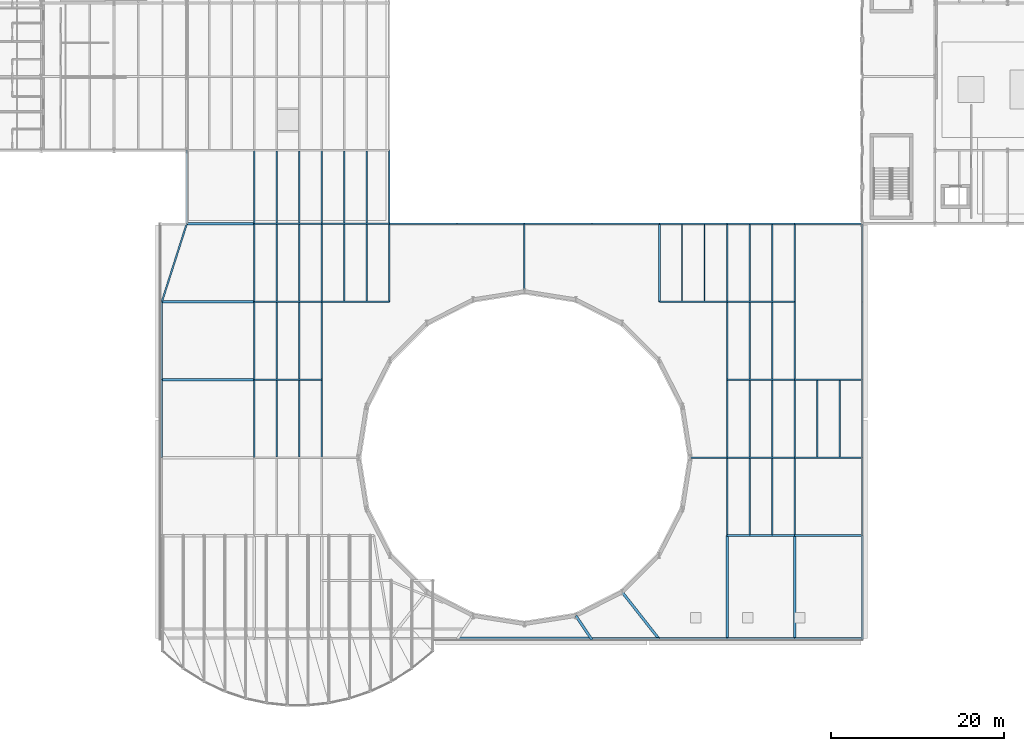
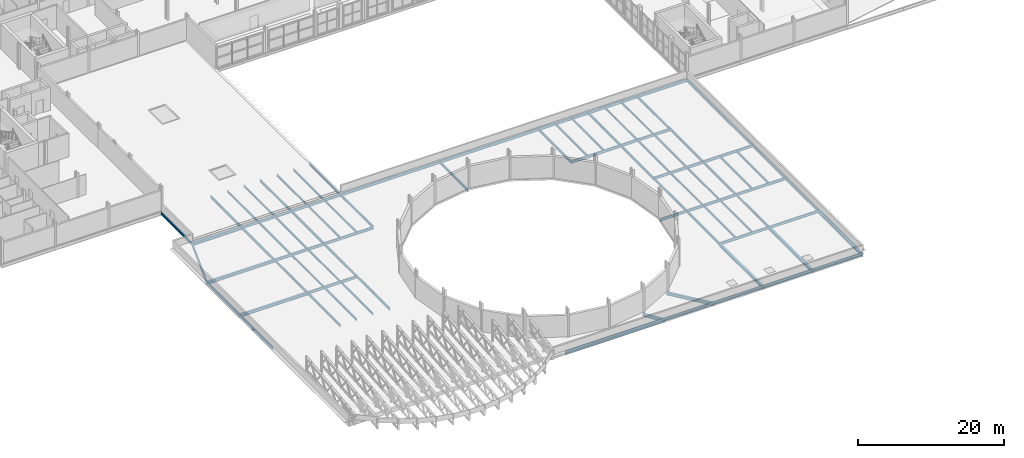
# One storey, part 16 of 58: 86 beams.
"""IFC4 building model written with IfcOpenShell, lengths in metres."""

import ifcopenshell
import ifcopenshell.guid

model = None  # the IFC model being written
_history = None  # IfcOwnerHistory: only IFC2X3 demands one
_inside = {}  # id of a spatial element -> (the spatial element, [elements in it])
_under = {}  # id of a project, library or spatial element -> (it, [spatial elements below it])
_declared = {}  # id of a project -> (the project, [libraries it declares])
_typed = {}  # id of a type object -> (the type object, [elements of that type])
_made_of = {}  # id of a material, layer set ... -> (it, [elements and type objects made of it])


def new_model(schema):
    """Start an empty IFC model of exactly this schema.

    Asked for "IFC4X3", IfcOpenShell would pick the latest addendum, in which some entities
    have other attributes; the version numbers below select the first issue.
    IFC2X3 requires an IfcOwnerHistory on every rooted entity: one is made here for all.
    """
    global model, _history
    if schema == "IFC4X3":
        model = ifcopenshell.file(schema_version=(4, 3, 0, 0))
    else:
        model = ifcopenshell.file(schema=schema)
    _inside.clear()
    _under.clear()
    _declared.clear()
    _typed.clear()
    _made_of.clear()
    _history = None
    if model.schema == "IFC2X3":
        org = make("IfcOrganization", Name="unknown")
        user = make(
            "IfcPersonAndOrganization",
            ThePerson=make("IfcPerson", FamilyName="unknown"),
            TheOrganization=org,
        )
        app = make(
            "IfcApplication",
            ApplicationDeveloper=org,
            Version="unknown",
            ApplicationFullName="unknown",
            ApplicationIdentifier="unknown",
        )
        _history = make(
            "IfcOwnerHistory",
            OwningUser=user,
            OwningApplication=app,
            ChangeAction="ADDED",
            CreationDate=0,
        )
    return model


def make(cls, **values):
    """One entity of the class cls with the attributes given. An attribute that is None is left unset."""
    return model.create_entity(
        cls, **{name: value for name, value in values.items() if value is not None}
    )


def rooted(cls, **values):
    """An entity with a GlobalId (a new one), such as an element, a storey or a relation."""
    return make(cls, GlobalId=ifcopenshell.guid.new(), OwnerHistory=_history, **values)


def si_unit(unit_type, name, prefix=None):
    """IfcSIUnit, for example si_unit("LENGTHUNIT", "METRE", prefix="MILLI")."""
    return make("IfcSIUnit", UnitType=unit_type, Prefix=prefix, Name=name)


def assignment(units):
    """IfcUnitAssignment: the units of a project."""
    return None if units is None else make("IfcUnitAssignment", Units=units)


def point(xyz):
    """IfcCartesianPoint."""
    return None if xyz is None else make("IfcCartesianPoint", Coordinates=xyz)


def direction(xyz):
    """IfcDirection."""
    return None if xyz is None else make("IfcDirection", DirectionRatios=xyz)


def frame(location, z_axis=None, x_axis=None):
    """IfcAxis2Placement3D, a coordinate frame: its origin and axes. An axis left out is left unset."""
    return make(
        "IfcAxis2Placement3D",
        Location=point(location),
        Axis=direction(z_axis),
        RefDirection=direction(x_axis),
    )


def frame_2d(location, x_axis=None):
    """IfcAxis2Placement2D, a coordinate frame in the plane: its origin and x axis."""
    return make(
        "IfcAxis2Placement2D", Location=point(location), RefDirection=direction(x_axis)
    )


def origin():
    """The frame at (0, 0, 0) with its axes left unset."""
    return frame((0.0, 0.0, 0.0))


def origin_2d():
    """The frame at (0, 0) in the plane with its x axis left unset."""
    return frame_2d((0.0, 0.0))


def place(relative_to, where):
    """IfcLocalPlacement: puts the frame where relative to a parent placement (None: the world)."""
    return make(
        "IfcLocalPlacement", PlacementRelTo=relative_to, RelativePlacement=where
    )


def context(
    kind, dimensions, precision=None, world=None, true_north=None, identifier=None
):
    """IfcGeometricRepresentationContext, for example the 3D "Model" context."""
    return make(
        "IfcGeometricRepresentationContext",
        ContextIdentifier=identifier,
        ContextType=kind,
        CoordinateSpaceDimension=dimensions,
        Precision=precision,
        WorldCoordinateSystem=world,
        TrueNorth=true_north,
    )


def subcontext(parent, identifier, kind, view, scale=None):
    """IfcGeometricRepresentationSubContext, for example "Body" below "Model"."""
    return make(
        "IfcGeometricRepresentationSubContext",
        ContextIdentifier=identifier,
        ContextType=kind,
        ParentContext=parent,
        TargetScale=scale,
        TargetView=view,
    )


def project(units=None, contexts=None):
    """IfcProject with its units and contexts."""
    return rooted(
        "IfcProject",
        Name="project",
        RepresentationContexts=contexts,
        UnitsInContext=assignment(units),
    )


def spatial(cls, under=None, at=None, **own):
    """A site, building, storey or space (cls), placed at a placement, below another one or the project."""
    s = rooted(cls, ObjectPlacement=at, **own)
    if under is not None:
        _under.setdefault(under.id(), (under, []))[1].append(s)
    return s


def profile(cls, at=None, kind="AREA", **sizes):
    """A parametric profile (cls). Its sizes go by their IFC names, for example OverallWidth=200.0."""
    return make(cls, ProfileType=kind, Position=at, **sizes)


def i_section(**sizes):
    """IfcIShapeProfileDef."""
    return profile("IfcIShapeProfileDef", **sizes)


def extrude(swept, where, along, depth):
    """IfcExtrudedAreaSolid: the profile swept, set in the frame where, extruded along a direction by depth."""
    return make(
        "IfcExtrudedAreaSolid",
        SweptArea=swept,
        Position=where,
        ExtrudedDirection=direction(along),
        Depth=depth,
    )


def shape(context_of_items, identifier, shape_type, items):
    """IfcShapeRepresentation: the items that make up one representation, for example the "Body"."""
    return make(
        "IfcShapeRepresentation",
        ContextOfItems=context_of_items,
        RepresentationIdentifier=identifier,
        RepresentationType=shape_type,
        Items=items,
    )


def material(Name=None, Category=None):
    """IfcMaterial."""
    return make("IfcMaterial", Name=Name, Category=Category)


def material_profile(
    of_material, cross_section, Name=None, Category=None, Priority=None
):
    """IfcMaterialProfile: a cross section and its material."""
    return make(
        "IfcMaterialProfile",
        Name=Name,
        Material=of_material,
        Profile=cross_section,
        Priority=Priority,
        Category=Category,
    )


def profile_set(profiles, Name=None, composite=None):
    """IfcMaterialProfileSet."""
    return make(
        "IfcMaterialProfileSet",
        Name=Name,
        MaterialProfiles=profiles,
        CompositeProfile=composite,
    )


def made_of(thing, what):
    """Note that an element or type object is made of a material, layer set ...; save() writes the relation."""
    if what is not None:
        _made_of.setdefault(what.id(), (what, []))[1].append(thing)
    return thing


def type_object(cls, material=None, **own):
    """A type object (cls), such as IfcWallType, which elements share."""
    return made_of(rooted(cls, **own), material)


def element(
    cls,
    number,
    at=None,
    inside=None,
    cuts=None,
    type_object=None,
    material=None,
    context=None,
    identifier="Body",
    shape_type=None,
    held_by="IfcProductDefinitionShape",
    body=None,
    shapes=None,
    **own,
):
    """One element of the class cls, such as IfcWall. Its Tag is "e" and its number.

    at: its placement. inside: the storey or other place that contains it. cuts: it is an
    opening in that element (IfcRelVoidsElement). A single representation is given by context,
    identifier, shape_type and body (its items); several are given by shapes. held_by: the class
    of the entity that holds the representations. save() writes the other relations.
    """
    e = rooted(cls, Tag="e%d" % number, ObjectPlacement=at, **own)
    if body is not None:
        shapes = [shape(context, identifier, shape_type, body)]
    if shapes is not None:
        e.Representation = make(held_by, Representations=shapes)
    if inside is not None:
        _inside.setdefault(inside.id(), (inside, []))[1].append(e)
    if cuts is not None:
        rooted(
            "IfcRelVoidsElement", RelatingBuildingElement=cuts, RelatedOpeningElement=e
        )
    if type_object is not None:
        _typed.setdefault(type_object.id(), (type_object, []))[1].append(e)
    return made_of(e, material)


def aggregate(whole, parts):
    """IfcRelAggregates: a whole, such as a stair, and the parts it consists of."""
    return rooted("IfcRelAggregates", RelatingObject=whole, RelatedObjects=parts)


def save(model, path):
    """Write the relations noted so far, then the file.

    IfcRelAggregates (storeys below a building ...), IfcRelContainedInSpatialStructure (elements
    in a storey), IfcRelDefinesByType, IfcRelAssociatesMaterial and IfcRelDeclares: one each for
    every whole, place, type object, material and project.
    """
    for whole, parts in _under.values():
        aggregate(whole, parts)
    for where, things in _inside.values():
        rooted(
            "IfcRelContainedInSpatialStructure",
            RelatedElements=things,
            RelatingStructure=where,
        )
    for kind, things in _typed.values():
        rooted("IfcRelDefinesByType", RelatedObjects=things, RelatingType=kind)
    for what, things in _made_of.values():
        rooted("IfcRelAssociatesMaterial", RelatedObjects=things, RelatingMaterial=what)
    for by, libraries in _declared.values():
        rooted("IfcRelDeclares", RelatingContext=by, RelatedDefinitions=libraries)
    model.write(path)


model = new_model("IFC4")

# Units and contexts
model_context = context("Model", 3, precision=1e-05, world=origin(), true_north=direction((0.0, 1.0)))
body_context = subcontext(model_context, "Body", "Model", "MODEL_VIEW")
ifc_project = project(units=[si_unit("LENGTHUNIT", "METRE"), si_unit("AREAUNIT", "SQUARE_METRE"), si_unit("VOLUMEUNIT", "CUBIC_METRE"), si_unit("PLANEANGLEUNIT", "RADIAN"), si_unit("MASSUNIT", "GRAM", prefix="KILO")], contexts=[model_context])

# Site, building, storey
site_placement = place(None, origin())
site = spatial("IfcSite", under=ifc_project, at=site_placement, CompositionType="ELEMENT")
building_placement = place(site_placement, origin())
building = spatial("IfcBuilding", under=site, at=building_placement, Name="Sefraquen Railside Congress Hotel", CompositionType="ELEMENT")
storey_placement = place(building_placement, frame((0.0, 0.0, 16.199951171875)))
storey = spatial("IfcBuildingStorey", under=building, at=storey_placement, Name="L03", CompositionType="ELEMENT", Elevation=16.199951171875)

# Beams
ifc_material = material(Name="Steel S355JR", Category="steel")
ifc_material_profile_1 = material_profile(ifc_material, i_section(OverallWidth=0.179931640625, OverallDepth=0.39990234375, WebThickness=0.008544921875, FlangeThickness=0.013427734375, FilletRadius=0.02099609375, at=origin_2d()), Name="IPE 400")
ifc_profile_set_1 = profile_set([ifc_material_profile_1], Name="Steel S355JR")
beam_type_1 = type_object("IfcBeamType", Name="TB-BM-400I", PredefinedType="BEAM", material=ifc_profile_set_1)
beam_1_placement = place(storey_placement, frame((25.199951171875, 54.0, -0.47998046875), z_axis=(0.0, 1.0, 0.0), x_axis=(-1.0, 0.0, 0.0)))
element("IfcBeam", 1, at=beam_1_placement, inside=storey, type_object=beam_type_1, Name="Floor beam BM-L03-1144", PredefinedType="BEAM", context=body_context, shape_type="SweptSolid", body=[
    extrude(i_section(OverallWidth=0.179931640625, OverallDepth=0.39990234375, WebThickness=0.008544921875, FlangeThickness=0.013427734375, FilletRadius=0.02099609375, at=origin_2d()), origin(), (0.0, 0.0, 1.0), 8.5),
])
for number, where, z_axis, x_axis, name in (
    (2, (33.0, 27.0, -0.47998046875), (0.0, 1.0, 0.0), (-1.0, 0.0, 0.0), "Floor beam BM-L03-1153"),
    (3, (33.0, 36.0, -0.47998046875), (0.0, 1.0, 0.0), (-1.0, 0.0, 0.0), "Floor beam BM-L03-1154"),
    (4, (33.0, 45.0, -0.47998046875), (0.0, 1.0, 0.0), (-1.0, 0.0, 0.0), "Floor beam BM-L03-1155"),
):
    element("IfcBeam", number, at=place(storey_placement, frame(where, z_axis=z_axis, x_axis=x_axis)), inside=storey, type_object=beam_type_1, Name=name, PredefinedType="BEAM", context=body_context, shape_type="SweptSolid", body=[
        extrude(i_section(OverallWidth=0.179931640625, OverallDepth=0.39990234375, WebThickness=0.008544921875, FlangeThickness=0.013427734375, FilletRadius=0.02099609375, at=origin_2d()), origin(), (0.0, 0.0, 1.0), 9.0),
    ])
beam_2_placement = place(storey_placement, frame((33.0, 54.0, -0.47998046875), z_axis=(0.0, 1.0, 0.0), x_axis=(-1.0, 0.0, 0.0)))
element("IfcBeam", 5, at=beam_2_placement, inside=storey, type_object=beam_type_1, Name="Floor beam BM-L03-1156", PredefinedType="BEAM", context=body_context, shape_type="SweptSolid", body=[
    extrude(i_section(OverallWidth=0.179931640625, OverallDepth=0.39990234375, WebThickness=0.008544921875, FlangeThickness=0.013427734375, FilletRadius=0.02099609375, at=origin_2d()), origin(), (0.0, 0.0, 1.0), 8.5),
])
for number, where, z_axis, x_axis, name in (
    (6, (40.800048828125, 27.0, -0.47998046875), (0.0, 1.0, 0.0), (-1.0, 0.0, 0.0), "Floor beam BM-L03-1165"),
    (7, (40.800048828125, 36.0, -0.47998046875), (0.0, 1.0, 0.0), (-1.0, 0.0, 0.0), "Floor beam BM-L03-1166"),
    (8, (40.800048828125, 45.0, -0.47998046875), (0.0, 1.0, 0.0), (-1.0, 0.0, 0.0), "Floor beam BM-L03-1167"),
):
    element("IfcBeam", number, at=place(storey_placement, frame(where, z_axis=z_axis, x_axis=x_axis)), inside=storey, type_object=beam_type_1, Name=name, PredefinedType="BEAM", context=body_context, shape_type="SweptSolid", body=[
        extrude(i_section(OverallWidth=0.179931640625, OverallDepth=0.39990234375, WebThickness=0.008544921875, FlangeThickness=0.013427734375, FilletRadius=0.02099609375, at=origin_2d()), origin(), (0.0, 0.0, 1.0), 9.0),
    ])
beam_3_placement = place(storey_placement, frame((40.800048828125, 54.0, -0.47998046875), z_axis=(0.0, 1.0, 0.0), x_axis=(-1.0, 0.0, 0.0)))
element("IfcBeam", 9, at=beam_3_placement, inside=storey, type_object=beam_type_1, Name="Floor beam BM-L03-1168", PredefinedType="BEAM", context=body_context, shape_type="SweptSolid", body=[
    extrude(i_section(OverallWidth=0.179931640625, OverallDepth=0.39990234375, WebThickness=0.008544921875, FlangeThickness=0.013427734375, FilletRadius=0.02099609375, at=origin_2d()), origin(), (0.0, 0.0, 1.0), 8.5),
])
beam_4_placement = place(storey_placement, frame((48.60009765625, 45.0, -0.47998046875), z_axis=(0.0, 1.0, 0.0), x_axis=(-1.0, 0.0, 0.0)))
element("IfcBeam", 10, at=beam_4_placement, inside=storey, type_object=beam_type_1, Name="Floor beam BM-L03-1176", PredefinedType="BEAM", context=body_context, shape_type="SweptSolid", body=[
    extrude(i_section(OverallWidth=0.179931640625, OverallDepth=0.39990234375, WebThickness=0.008544921875, FlangeThickness=0.013427734375, FilletRadius=0.02099609375, at=origin_2d()), origin(), (0.0, 0.0, 1.0), 9.0),
])
beam_5_placement = place(storey_placement, frame((48.60009765625, 54.0, -0.47998046875), z_axis=(0.0, 1.0, 0.0), x_axis=(-1.0, 0.0, 0.0)))
element("IfcBeam", 11, at=beam_5_placement, inside=storey, type_object=beam_type_1, Name="Floor beam BM-L03-1177", PredefinedType="BEAM", context=body_context, shape_type="SweptSolid", body=[
    extrude(i_section(OverallWidth=0.179931640625, OverallDepth=0.39990234375, WebThickness=0.008544921875, FlangeThickness=0.013427734375, FilletRadius=0.02099609375, at=origin_2d()), origin(), (0.0, 0.0, 1.0), 8.5),
])
beam_6_placement = place(storey_placement, frame((64.199951171875, 46.199951171875, -0.47998046875), z_axis=(0.0, 1.0, 0.0), x_axis=(-1.0, 0.0, 0.0)))
element("IfcBeam", 12, at=beam_6_placement, inside=storey, type_object=beam_type_1, Name="Floor beam BM-L03-1189", PredefinedType="BEAM", context=body_context, shape_type="SweptSolid", body=[
    extrude(i_section(OverallWidth=0.179931640625, OverallDepth=0.39990234375, WebThickness=0.008544921875, FlangeThickness=0.013427734375, FilletRadius=0.02099609375, at=origin_2d()), origin(), (0.0, 0.0, 1.0), 7.800048828125),
])
for number, where, z_axis, x_axis, name in (
    (13, (79.800048828125, 45.0, -0.47998046875), (0.0, 1.0, 0.0), (-1.0, 0.0, 0.0), "Floor beam BM-L03-1198"),
    (14, (87.60009765625, 18.0, -0.47998046875), (0.0, 1.0, 0.0), (-1.0, 0.0, 0.0), "Floor beam BM-L03-1203"),
    (15, (87.60009765625, 27.0, -0.47998046875), (0.0, 1.0, 0.0), (-1.0, 0.0, 0.0), "Floor beam BM-L03-1204"),
    (16, (87.60009765625, 36.0, -0.47998046875), (0.0, 1.0, 0.0), (-1.0, 0.0, 0.0), "Floor beam BM-L03-1205"),
    (17, (87.60009765625, 45.0, -0.47998046875), (0.0, 1.0, 0.0), (-1.0, 0.0, 0.0), "Floor beam BM-L03-1206"),
    (18, (95.39990234375, 18.0, -0.47998046875), (0.0, 1.0, 0.0), (-1.0, 0.0, 0.0), "Floor beam BM-L03-1211"),
    (19, (95.39990234375, 27.0, -0.47998046875), (0.0, 1.0, 0.0), (-1.0, 0.0, 0.0), "Floor beam BM-L03-1212"),
    (20, (95.39990234375, 36.0, -0.47998046875), (0.0, 1.0, 0.0), (-1.0, 0.0, 0.0), "Floor beam BM-L03-1213"),
    (21, (95.39990234375, 45.0, -0.47998046875), (0.0, 1.0, 0.0), (-1.0, 0.0, 0.0), "Floor beam BM-L03-1214"),
    (22, (103.199951171875, 18.0, -0.47998046875), (0.0, 1.0, 0.0), (-1.0, 0.0, 0.0), "Floor beam BM-L03-1219"),
    (23, (103.199951171875, 27.0, -0.47998046875), (0.0, 1.0, 0.0), (-1.0, 0.0, 0.0), "Floor beam BM-L03-1220"),
    (24, (103.199951171875, 36.0, -0.47998046875), (0.0, 1.0, 0.0), (-1.0, 0.0, 0.0), "Floor beam BM-L03-1221"),
    (25, (103.199951171875, 45.0, -0.47998046875), (0.0, 1.0, 0.0), (-1.0, 0.0, 0.0), "Floor beam BM-L03-1222"),
):
    element("IfcBeam", number, at=place(storey_placement, frame(where, z_axis=z_axis, x_axis=x_axis)), inside=storey, type_object=beam_type_1, Name=name, PredefinedType="BEAM", context=body_context, shape_type="SweptSolid", body=[
        extrude(i_section(OverallWidth=0.179931640625, OverallDepth=0.39990234375, WebThickness=0.008544921875, FlangeThickness=0.013427734375, FilletRadius=0.02099609375, at=origin_2d()), origin(), (0.0, 0.0, 1.0), 9.0),
    ])
ifc_material_profile_2 = material_profile(ifc_material, i_section(OverallWidth=0.18994140625, OverallDepth=0.449951171875, WebThickness=0.009521484375, FlangeThickness=0.0146484375, FilletRadius=0.02099609375, at=origin_2d()), Name="IPE 450")
ifc_profile_set_2 = profile_set([ifc_material_profile_2], Name="Steel S355JR")
beam_type_2 = type_object("IfcBeamType", Name="TB-BM-450", PredefinedType="BEAM", material=ifc_profile_set_2)
beam_7_placement = place(storey_placement, frame((87.60009765625, 18.0, -0.5048828125), z_axis=(1.0, 0.0, 0.0), x_axis=(0.0, 1.0, 0.0)))
element("IfcBeam", 26, at=beam_7_placement, inside=storey, type_object=beam_type_2, Name="Primary girder BM-L03-0997", PredefinedType="BEAM", context=body_context, shape_type="SweptSolid", body=[
    extrude(i_section(OverallWidth=0.18994140625, OverallDepth=0.449951171875, WebThickness=0.009521484375, FlangeThickness=0.0146484375, FilletRadius=0.02099609375, at=origin_2d()), origin(), (0.0, 0.0, 1.0), 7.7998046875),
])
beam_8_placement = place(storey_placement, frame((95.39990234375, 18.0, -0.5048828125), z_axis=(1.0, 0.0, 0.0), x_axis=(0.0, 1.0, 0.0)))
element("IfcBeam", 27, at=beam_8_placement, inside=storey, type_object=beam_type_2, Name="Primary girder BM-L03-0998", PredefinedType="BEAM", context=body_context, shape_type="SweptSolid", body=[
    extrude(i_section(OverallWidth=0.18994140625, OverallDepth=0.449951171875, WebThickness=0.009521484375, FlangeThickness=0.0146484375, FilletRadius=0.02099609375, at=origin_2d()), origin(), (0.0, 0.0, 1.0), 7.800048828125),
])
beam_9_placement = place(storey_placement, frame((83.39990234375, 27.0, -0.5048828125), z_axis=(1.0, 0.0, 0.0), x_axis=(0.0, 1.0, 0.0)))
element("IfcBeam", 28, at=beam_9_placement, inside=storey, type_object=beam_type_2, Name="Primary girder BM-L03-1001", PredefinedType="BEAM", context=body_context, shape_type="SweptSolid", body=[
    extrude(i_section(OverallWidth=0.18994140625, OverallDepth=0.449951171875, WebThickness=0.009521484375, FlangeThickness=0.0146484375, FilletRadius=0.02099609375, at=origin_2d()), origin(), (0.0, 0.0, 1.0), 4.2001953125),
])
beam_10_placement = place(storey_placement, frame((87.60009765625, 27.0, -0.5048828125), z_axis=(1.0, 0.0, 0.0), x_axis=(0.0, 1.0, 0.0)))
element("IfcBeam", 29, at=beam_10_placement, inside=storey, type_object=beam_type_2, Name="Primary girder BM-L03-1002", PredefinedType="BEAM", context=body_context, shape_type="SweptSolid", body=[
    extrude(i_section(OverallWidth=0.18994140625, OverallDepth=0.449951171875, WebThickness=0.009521484375, FlangeThickness=0.0146484375, FilletRadius=0.02099609375, at=origin_2d()), origin(), (0.0, 0.0, 1.0), 7.7998046875),
])
for number, where, z_axis, x_axis, name in (
    (30, (95.39990234375, 27.0, -0.5048828125), (1.0, 0.0, 0.0), (0.0, 1.0, 0.0), "Primary girder BM-L03-1003"),
    (31, (33.0, 36.0, -0.5048828125), (1.0, 0.0, 0.0), (0.0, 1.0, 0.0), "Primary girder BM-L03-1004"),
):
    element("IfcBeam", number, at=place(storey_placement, frame(where, z_axis=z_axis, x_axis=x_axis)), inside=storey, type_object=beam_type_2, Name=name, PredefinedType="BEAM", context=body_context, shape_type="SweptSolid", body=[
        extrude(i_section(OverallWidth=0.18994140625, OverallDepth=0.449951171875, WebThickness=0.009521484375, FlangeThickness=0.0146484375, FilletRadius=0.02099609375, at=origin_2d()), origin(), (0.0, 0.0, 1.0), 7.800048828125),
    ])
beam_11_placement = place(storey_placement, frame((87.60009765625, 36.0, -0.5048828125), z_axis=(1.0, 0.0, 0.0), x_axis=(0.0, 1.0, 0.0)))
element("IfcBeam", 32, at=beam_11_placement, inside=storey, type_object=beam_type_2, Name="Primary girder BM-L03-1005", PredefinedType="BEAM", context=body_context, shape_type="SweptSolid", body=[
    extrude(i_section(OverallWidth=0.18994140625, OverallDepth=0.449951171875, WebThickness=0.009521484375, FlangeThickness=0.0146484375, FilletRadius=0.02099609375, at=origin_2d()), origin(), (0.0, 0.0, 1.0), 7.7998046875),
])
for number, where, z_axis, x_axis, name in (
    (33, (95.39990234375, 36.0, -0.5048828125), (1.0, 0.0, 0.0), (0.0, 1.0, 0.0), "Primary girder BM-L03-1006"),
    (34, (33.0, 45.0, -0.5048828125), (1.0, 0.0, 0.0), (0.0, 1.0, 0.0), "Primary girder BM-L03-1007"),
    (35, (40.800048828125, 45.0, -0.5048828125), (1.0, 0.0, 0.0), (0.0, 1.0, 0.0), "Primary girder BM-L03-1008"),
    (36, (79.800048828125, 45.0, -0.5048828125), (1.0, 0.0, 0.0), (0.0, 1.0, 0.0), "Primary girder BM-L03-1009"),
):
    element("IfcBeam", number, at=place(storey_placement, frame(where, z_axis=z_axis, x_axis=x_axis)), inside=storey, type_object=beam_type_2, Name=name, PredefinedType="BEAM", context=body_context, shape_type="SweptSolid", body=[
        extrude(i_section(OverallWidth=0.18994140625, OverallDepth=0.449951171875, WebThickness=0.009521484375, FlangeThickness=0.0146484375, FilletRadius=0.02099609375, at=origin_2d()), origin(), (0.0, 0.0, 1.0), 7.800048828125),
    ])
beam_12_placement = place(storey_placement, frame((87.60009765625, 45.0, -0.5048828125), z_axis=(1.0, 0.0, 0.0), x_axis=(0.0, 1.0, 0.0)))
element("IfcBeam", 37, at=beam_12_placement, inside=storey, type_object=beam_type_2, Name="Primary girder BM-L03-1010", PredefinedType="BEAM", context=body_context, shape_type="SweptSolid", body=[
    extrude(i_section(OverallWidth=0.18994140625, OverallDepth=0.449951171875, WebThickness=0.009521484375, FlangeThickness=0.0146484375, FilletRadius=0.02099609375, at=origin_2d()), origin(), (0.0, 0.0, 1.0), 7.7998046875),
])
for number, where, z_axis, x_axis, name in (
    (38, (33.0, 54.0, -0.5048828125), (1.0, 0.0, 0.0), (0.0, 1.0, 0.0), "Primary girder BM-L03-1011"),
    (39, (40.800048828125, 54.0, -0.5048828125), (1.0, 0.0, 0.0), (0.0, 1.0, 0.0), "Primary girder BM-L03-1012"),
):
    element("IfcBeam", number, at=place(storey_placement, frame(where, z_axis=z_axis, x_axis=x_axis)), inside=storey, type_object=beam_type_2, Name=name, PredefinedType="BEAM", context=body_context, shape_type="SweptSolid", body=[
        extrude(i_section(OverallWidth=0.18994140625, OverallDepth=0.449951171875, WebThickness=0.009521484375, FlangeThickness=0.0146484375, FilletRadius=0.02099609375, at=origin_2d()), origin(), (0.0, 0.0, 1.0), 7.800048828125),
    ])
beam_13_placement = place(storey_placement, frame((48.60009765625, 54.0, -0.5048828125), z_axis=(1.0, 0.0, 0.0), x_axis=(0.0, 1.0, 0.0)))
element("IfcBeam", 40, at=beam_13_placement, inside=storey, type_object=beam_type_2, Name="Primary girder BM-L03-1013", PredefinedType="BEAM", context=body_context, shape_type="SweptSolid", body=[
    extrude(i_section(OverallWidth=0.18994140625, OverallDepth=0.449951171875, WebThickness=0.009521484375, FlangeThickness=0.0146484375, FilletRadius=0.02099609375, at=origin_2d()), origin(), (0.0, 0.0, 1.0), 7.7998046875),
])
for number, where, z_axis, x_axis, name in (
    (41, (56.39990234375, 54.0, -0.5048828125), (1.0, 0.0, 0.0), (0.0, 1.0, 0.0), "Primary girder BM-L03-1014"),
    (42, (64.199951171875, 54.0, -0.5048828125), (1.0, 0.0, 0.0), (0.0, 1.0, 0.0), "Primary girder BM-L03-1015"),
    (43, (72.0, 54.0, -0.5048828125), (1.0, 0.0, 0.0), (0.0, 1.0, 0.0), "Primary girder BM-L03-1016"),
    (44, (79.800048828125, 54.0, -0.5048828125), (1.0, 0.0, 0.0), (0.0, 1.0, 0.0), "Primary girder BM-L03-1017"),
):
    element("IfcBeam", number, at=place(storey_placement, frame(where, z_axis=z_axis, x_axis=x_axis)), inside=storey, type_object=beam_type_2, Name=name, PredefinedType="BEAM", context=body_context, shape_type="SweptSolid", body=[
        extrude(i_section(OverallWidth=0.18994140625, OverallDepth=0.449951171875, WebThickness=0.009521484375, FlangeThickness=0.0146484375, FilletRadius=0.02099609375, at=origin_2d()), origin(), (0.0, 0.0, 1.0), 7.800048828125),
    ])
beam_14_placement = place(storey_placement, frame((87.60009765625, 54.0, -0.5048828125), z_axis=(1.0, 0.0, 0.0), x_axis=(0.0, 1.0, 0.0)))
element("IfcBeam", 45, at=beam_14_placement, inside=storey, type_object=beam_type_2, Name="Primary girder BM-L03-1018", PredefinedType="BEAM", context=body_context, shape_type="SweptSolid", body=[
    extrude(i_section(OverallWidth=0.18994140625, OverallDepth=0.449951171875, WebThickness=0.009521484375, FlangeThickness=0.0146484375, FilletRadius=0.02099609375, at=origin_2d()), origin(), (0.0, 0.0, 1.0), 7.7998046875),
])
for number, where, z_axis, x_axis, name in (
    (46, (95.39990234375, 54.0, -0.5048828125), (1.0, 0.0, 0.0), (0.0, 1.0, 0.0), "Primary girder BM-L03-1019"),
    (47, (72.0, 6.128173828125, -0.5048828125), (1.0, 0.0, 0.0), (0.0, 1.0, 0.0), "Congress leaning-hull south edge beam L03-06"),
    (48, (79.800048828125, 6.128173828125, -0.5048828125), (1.0, 0.0, 0.0), (0.0, 1.0, 0.0), "Congress leaning-hull south edge beam L03-07"),
):
    element("IfcBeam", number, at=place(storey_placement, frame(where, z_axis=z_axis, x_axis=x_axis)), inside=storey, type_object=beam_type_2, Name=name, PredefinedType="BEAM", context=body_context, shape_type="SweptSolid", body=[
        extrude(i_section(OverallWidth=0.18994140625, OverallDepth=0.449951171875, WebThickness=0.009521484375, FlangeThickness=0.0146484375, FilletRadius=0.02099609375, at=origin_2d()), origin(), (0.0, 0.0, 1.0), 7.800048828125),
    ])
beam_15_placement = place(storey_placement, frame((87.60009765625, 6.128173828125, -0.5048828125), z_axis=(1.0, 0.0, 0.0), x_axis=(0.0, 1.0, 0.0)))
element("IfcBeam", 49, at=beam_15_placement, inside=storey, type_object=beam_type_2, Name="Congress leaning-hull south edge beam L03-08", PredefinedType="BEAM", context=body_context, shape_type="SweptSolid", body=[
    extrude(i_section(OverallWidth=0.18994140625, OverallDepth=0.449951171875, WebThickness=0.009521484375, FlangeThickness=0.0146484375, FilletRadius=0.02099609375, at=origin_2d()), origin(), (0.0, 0.0, 1.0), 7.7998046875),
])
beam_16_placement = place(storey_placement, frame((95.39990234375, 6.128173828125, -0.5048828125), z_axis=(1.0, 0.0, 0.0), x_axis=(0.0, 1.0, 0.0)))
element("IfcBeam", 50, at=beam_16_placement, inside=storey, type_object=beam_type_2, Name="Congress leaning-hull south edge beam L03-09", PredefinedType="BEAM", context=body_context, shape_type="SweptSolid", body=[
    extrude(i_section(OverallWidth=0.18994140625, OverallDepth=0.449951171875, WebThickness=0.009521484375, FlangeThickness=0.0146484375, FilletRadius=0.02099609375, at=origin_2d()), origin(), (0.0, 0.0, 1.0), 7.800048828125),
])
for number, where, z_axis, x_axis, name in (
    (51, (22.328125, 27.0, -0.5048828125), (0.0, 1.0, 0.0), (-1.0, 0.0, 0.0), "Congress leaning-hull west edge beam L03-03"),
    (52, (22.328125, 36.0, -0.5048828125), (0.0, 1.0, 0.0), (-1.0, 0.0, 0.0), "Congress leaning-hull west edge beam L03-04"),
):
    element("IfcBeam", number, at=place(storey_placement, frame(where, z_axis=z_axis, x_axis=x_axis)), inside=storey, type_object=beam_type_2, Name=name, PredefinedType="BEAM", context=body_context, shape_type="SweptSolid", body=[
        extrude(i_section(OverallWidth=0.18994140625, OverallDepth=0.449951171875, WebThickness=0.009521484375, FlangeThickness=0.0146484375, FilletRadius=0.02099609375, at=origin_2d()), origin(), (0.0, 0.0, 1.0), 9.0),
    ])
beam_17_placement = place(storey_placement, frame((22.328125, 45.0, -0.5048828125), z_axis=(0.303990770219, 0.952674976905, 0.0), x_axis=(-0.952674976905, 0.303990770219, 0.0)))
element("IfcBeam", 53, at=beam_17_placement, inside=storey, type_object=beam_type_2, Name="Congress leaning-hull west edge beam L03-05", PredefinedType="BEAM", context=body_context, shape_type="SweptSolid", body=[
    extrude(i_section(OverallWidth=0.18994140625, OverallDepth=0.449951171875, WebThickness=0.009521484375, FlangeThickness=0.0146484375, FilletRadius=0.02099609375, at=origin_2d()), origin(), (0.0, 0.0, 1.0), 9.447021484375),
])
ifc_material_profile_3 = material_profile(ifc_material, i_section(OverallWidth=0.300048828125, OverallDepth=0.489990234375, WebThickness=0.011962890625, FlangeThickness=0.02294921875, FilletRadius=0.027099609375, at=origin_2d()), Name="HEA 500")
ifc_profile_set_3 = profile_set([ifc_material_profile_3], Name="Steel S355JR")
beam_type_3 = type_object("IfcBeamType", Name="TB-GIR-500", PredefinedType="T_BEAM", material=ifc_profile_set_3)
beam_18_placement = place(storey_placement, frame((72.0, 5.978515625, -0.52490234375), z_axis=(-0.560114260601, 0.828415363855, 0.0), x_axis=(-0.828415363855, -0.560114260601, 0.0)))
element("IfcBeam", 54, at=beam_18_placement, inside=storey, type_object=beam_type_3, Name="Congress leaning-hull diaphragm tie girder S-10 L03", PredefinedType="T_BEAM", context=body_context, shape_type="SweptSolid", body=[
    extrude(i_section(OverallWidth=0.300048828125, OverallDepth=0.489990234375, WebThickness=0.011962890625, FlangeThickness=0.02294921875, FilletRadius=0.027099609375, at=origin_2d()), origin(), (0.0, 0.0, 1.0), 3.333251953125),
])
beam_19_placement = place(storey_placement, frame((79.800048828125, 5.978515625, -0.52490234375), z_axis=(-0.618019227105, 0.78616298242, 0.0), x_axis=(-0.78616298242, -0.618019227105, 0.0)))
element("IfcBeam", 55, at=beam_19_placement, inside=storey, type_object=beam_type_3, Name="Congress leaning-hull diaphragm tie girder S-11 L03", PredefinedType="T_BEAM", context=body_context, shape_type="SweptSolid", body=[
    extrude(i_section(OverallWidth=0.300048828125, OverallDepth=0.489990234375, WebThickness=0.011962890625, FlangeThickness=0.02294921875, FilletRadius=0.027099609375, at=origin_2d()), origin(), (0.0, 0.0, 1.0), 6.981201171875),
])
for number, where, z_axis, x_axis, name in (
    (56, (87.60009765625, 5.978515625, -0.52490234375), (0.0, 1.0, 0.0), (-1.0, 0.0, 0.0), "Congress leaning-hull diaphragm tie girder S-12 L03"),
    (57, (95.39990234375, 5.978515625, -0.52490234375), (0.0, 1.0, 0.0), (-1.0, 0.0, 0.0), "Congress leaning-hull diaphragm tie girder S-13 L03"),
    (58, (103.199951171875, 5.978515625, -0.52490234375), (0.0, 1.0, 0.0), (-1.0, 0.0, 0.0), "Congress leaning-hull diaphragm tie girder S-14 L03"),
):
    element("IfcBeam", number, at=place(storey_placement, frame(where, z_axis=z_axis, x_axis=x_axis)), inside=storey, type_object=beam_type_3, Name=name, PredefinedType="T_BEAM", context=body_context, shape_type="SweptSolid", body=[
        extrude(i_section(OverallWidth=0.300048828125, OverallDepth=0.489990234375, WebThickness=0.011962890625, FlangeThickness=0.02294921875, FilletRadius=0.027099609375, at=origin_2d()), origin(), (0.0, 0.0, 1.0), 12.021484375),
    ])
for number, where, z_axis, x_axis, name in (
    (59, (22.1787109375, 36.0, -0.52490234375), (1.0, 0.0, 0.0), (0.0, 1.0, 0.0), "Congress leaning-hull west tie girder W-E L03"),
    (60, (22.1787109375, 45.0, -0.52490234375), (1.0, 0.0, 0.0), (0.0, 1.0, 0.0), "Congress leaning-hull west tie girder W-F L03"),
):
    element("IfcBeam", number, at=place(storey_placement, frame(where, z_axis=z_axis, x_axis=x_axis)), inside=storey, type_object=beam_type_3, Name=name, PredefinedType="T_BEAM", context=body_context, shape_type="SweptSolid", body=[
        extrude(i_section(OverallWidth=0.300048828125, OverallDepth=0.489990234375, WebThickness=0.011962890625, FlangeThickness=0.02294921875, FilletRadius=0.027099609375, at=origin_2d()), origin(), (0.0, 0.0, 1.0), 10.8212890625),
    ])
beam_20_placement = place(storey_placement, frame((25.199951171875, 54.0, -0.52490234375), z_axis=(1.0, 0.0, 0.0), x_axis=(0.0, 1.0, 0.0)))
element("IfcBeam", 61, at=beam_20_placement, inside=storey, type_object=beam_type_3, Name="Congress leaning-hull west tie girder W-G L03", PredefinedType="T_BEAM", context=body_context, shape_type="SweptSolid", body=[
    extrude(i_section(OverallWidth=0.300048828125, OverallDepth=0.489990234375, WebThickness=0.011962890625, FlangeThickness=0.02294921875, FilletRadius=0.027099609375, at=origin_2d()), origin(), (0.0, 0.0, 1.0), 7.800048828125),
])
ifc_material_profile_4 = material_profile(ifc_material, i_section(OverallWidth=0.219970703125, OverallDepth=0.60009765625, WebThickness=0.011962890625, FlangeThickness=0.01904296875, FilletRadius=0.02392578125, at=origin_2d()), Name="IPE 600")
ifc_profile_set_4 = profile_set([ifc_material_profile_4], Name="Steel S355JR")
beam_type_4 = type_object("IfcBeamType", Name="TB-GIR-600", PredefinedType="T_BEAM", material=ifc_profile_set_4)
beam_21_placement = place(storey_placement, frame((56.39990234375, 6.150390625, -0.579833984375), z_axis=(1.0, 0.0, 0.0), x_axis=(0.0, 1.0, 0.0)))
element("IfcBeam", 62, at=beam_21_placement, inside=storey, type_object=beam_type_4, Name="Congress leaning-hull south edge beam L03-05", PredefinedType="T_BEAM", context=body_context, shape_type="SweptSolid", body=[
    extrude(i_section(OverallWidth=0.219970703125, OverallDepth=0.60009765625, WebThickness=0.011962890625, FlangeThickness=0.01904296875, FilletRadius=0.02392578125, at=origin_2d()), origin(), (0.0, 0.0, 1.0), 15.60009765625),
])
ifc_material_profile_5 = material_profile(ifc_material, i_section(OverallWidth=0.159912109375, OverallDepth=0.330078125, WebThickness=0.007568359375, FlangeThickness=0.011474609375, FilletRadius=0.01806640625, at=origin_2d()), Name="IPE 330")
ifc_profile_set_5 = profile_set([ifc_material_profile_5], Name="Steel S355JR")
beam_type_5 = type_object("IfcBeamType", Name="TB-JST-330", PredefinedType="JOIST", material=ifc_profile_set_5)
for number, where, z_axis, x_axis, name in (
    (63, (35.60009765625, 27.074951171875, -0.445068359375), (0.0, 1.0, 0.0), (-1.0, 0.0, 0.0), "Composite floor joist BM-L03-J0690"),
    (64, (38.199951171875, 27.074951171875, -0.445068359375), (0.0, 1.0, 0.0), (-1.0, 0.0, 0.0), "Composite floor joist BM-L03-J0691"),
    (65, (35.60009765625, 36.074951171875, -0.445068359375), (0.0, 1.0, 0.0), (-1.0, 0.0, 0.0), "Composite floor joist BM-L03-J0692"),
    (66, (38.199951171875, 36.074951171875, -0.445068359375), (0.0, 1.0, 0.0), (-1.0, 0.0, 0.0), "Composite floor joist BM-L03-J0693"),
    (67, (35.60009765625, 45.074951171875, -0.445068359375), (0.0, 1.0, 0.0), (-1.0, 0.0, 0.0), "Composite floor joist BM-L03-J0694"),
    (68, (38.199951171875, 45.074951171875, -0.445068359375), (0.0, 1.0, 0.0), (-1.0, 0.0, 0.0), "Composite floor joist BM-L03-J0695"),
):
    element("IfcBeam", number, at=place(storey_placement, frame(where, z_axis=z_axis, x_axis=x_axis)), inside=storey, type_object=beam_type_5, Name=name, PredefinedType="JOIST", context=body_context, shape_type="SweptSolid", body=[
        extrude(i_section(OverallWidth=0.159912109375, OverallDepth=0.330078125, WebThickness=0.007568359375, FlangeThickness=0.011474609375, FilletRadius=0.01806640625, at=origin_2d()), origin(), (0.0, 0.0, 1.0), 8.85009765625),
    ])
for number, where, z_axis, x_axis, name in (
    (69, (35.60009765625, 54.074951171875, -0.445068359375), (0.0, 1.0, 0.0), (-1.0, 0.0, 0.0), "Composite floor joist BM-L03-J0696"),
    (70, (38.199951171875, 54.074951171875, -0.445068359375), (0.0, 1.0, 0.0), (-1.0, 0.0, 0.0), "Composite floor joist BM-L03-J0697"),
):
    element("IfcBeam", number, at=place(storey_placement, frame(where, z_axis=z_axis, x_axis=x_axis)), inside=storey, type_object=beam_type_5, Name=name, PredefinedType="JOIST", context=body_context, shape_type="SweptSolid", body=[
        extrude(i_section(OverallWidth=0.159912109375, OverallDepth=0.330078125, WebThickness=0.007568359375, FlangeThickness=0.011474609375, FilletRadius=0.01806640625, at=origin_2d()), origin(), (0.0, 0.0, 1.0), 8.35009765625),
    ])
for number, where, z_axis, x_axis, name in (
    (71, (43.39990234375, 45.074951171875, -0.445068359375), (0.0, 1.0, 0.0), (-1.0, 0.0, 0.0), "Composite floor joist BM-L03-J0712"),
    (72, (46.0, 45.074951171875, -0.445068359375), (0.0, 1.0, 0.0), (-1.0, 0.0, 0.0), "Composite floor joist BM-L03-J0713"),
):
    element("IfcBeam", number, at=place(storey_placement, frame(where, z_axis=z_axis, x_axis=x_axis)), inside=storey, type_object=beam_type_5, Name=name, PredefinedType="JOIST", context=body_context, shape_type="SweptSolid", body=[
        extrude(i_section(OverallWidth=0.159912109375, OverallDepth=0.330078125, WebThickness=0.007568359375, FlangeThickness=0.011474609375, FilletRadius=0.01806640625, at=origin_2d()), origin(), (0.0, 0.0, 1.0), 8.85009765625),
    ])
for number, where, z_axis, x_axis, name in (
    (73, (43.39990234375, 54.074951171875, -0.445068359375), (0.0, 1.0, 0.0), (-1.0, 0.0, 0.0), "Composite floor joist BM-L03-J0714"),
    (74, (46.0, 54.074951171875, -0.445068359375), (0.0, 1.0, 0.0), (-1.0, 0.0, 0.0), "Composite floor joist BM-L03-J0715"),
):
    element("IfcBeam", number, at=place(storey_placement, frame(where, z_axis=z_axis, x_axis=x_axis)), inside=storey, type_object=beam_type_5, Name=name, PredefinedType="JOIST", context=body_context, shape_type="SweptSolid", body=[
        extrude(i_section(OverallWidth=0.159912109375, OverallDepth=0.330078125, WebThickness=0.007568359375, FlangeThickness=0.011474609375, FilletRadius=0.01806640625, at=origin_2d()), origin(), (0.0, 0.0, 1.0), 8.35009765625),
    ])
for number, where, z_axis, x_axis, name in (
    (75, (82.39990234375, 45.074951171875, -0.445068359375), (0.0, 1.0, 0.0), (-1.0, 0.0, 0.0), "Composite floor joist BM-L03-J0758"),
    (76, (85.0, 45.074951171875, -0.445068359375), (0.0, 1.0, 0.0), (-1.0, 0.0, 0.0), "Composite floor joist BM-L03-J0759"),
    (77, (90.199951171875, 18.074951171875, -0.445068359375), (0.0, 1.0, 0.0), (-1.0, 0.0, 0.0), "Composite floor joist BM-L03-J0768"),
    (78, (92.800048828125, 18.074951171875, -0.445068359375), (0.0, 1.0, 0.0), (-1.0, 0.0, 0.0), "Composite floor joist BM-L03-J0769"),
    (79, (90.199951171875, 27.074951171875, -0.445068359375), (0.0, 1.0, 0.0), (-1.0, 0.0, 0.0), "Composite floor joist BM-L03-J0770"),
    (80, (92.800048828125, 27.074951171875, -0.445068359375), (0.0, 1.0, 0.0), (-1.0, 0.0, 0.0), "Composite floor joist BM-L03-J0771"),
    (81, (90.199951171875, 36.074951171875, -0.445068359375), (0.0, 1.0, 0.0), (-1.0, 0.0, 0.0), "Composite floor joist BM-L03-J0772"),
    (82, (92.800048828125, 36.074951171875, -0.445068359375), (0.0, 1.0, 0.0), (-1.0, 0.0, 0.0), "Composite floor joist BM-L03-J0773"),
    (83, (90.199951171875, 45.074951171875, -0.445068359375), (0.0, 1.0, 0.0), (-1.0, 0.0, 0.0), "Composite floor joist BM-L03-J0774"),
    (84, (92.800048828125, 45.074951171875, -0.445068359375), (0.0, 1.0, 0.0), (-1.0, 0.0, 0.0), "Composite floor joist BM-L03-J0775"),
    (85, (98.0, 27.074951171875, -0.445068359375), (0.0, 1.0, 0.0), (-1.0, 0.0, 0.0), "Composite floor joist BM-L03-J0784"),
    (86, (100.60009765625, 27.074951171875, -0.445068359375), (0.0, 1.0, 0.0), (-1.0, 0.0, 0.0), "Composite floor joist BM-L03-J0785"),
):
    element("IfcBeam", number, at=place(storey_placement, frame(where, z_axis=z_axis, x_axis=x_axis)), inside=storey, type_object=beam_type_5, Name=name, PredefinedType="JOIST", context=body_context, shape_type="SweptSolid", body=[
        extrude(i_section(OverallWidth=0.159912109375, OverallDepth=0.330078125, WebThickness=0.007568359375, FlangeThickness=0.011474609375, FilletRadius=0.01806640625, at=origin_2d()), origin(), (0.0, 0.0, 1.0), 8.85009765625),
    ])

save(model, "model.ifc")
